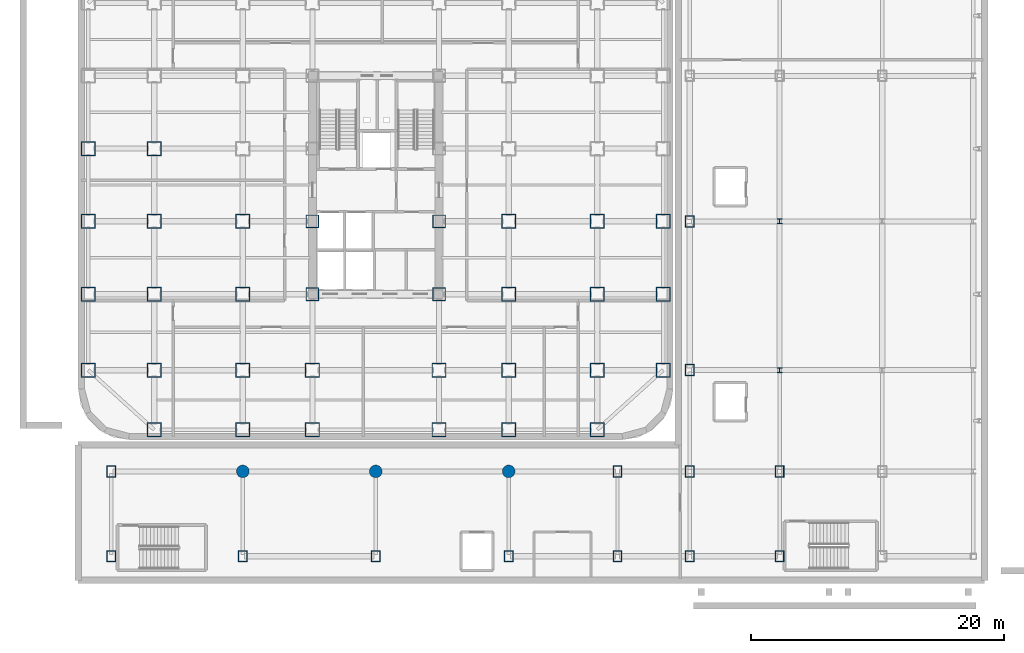
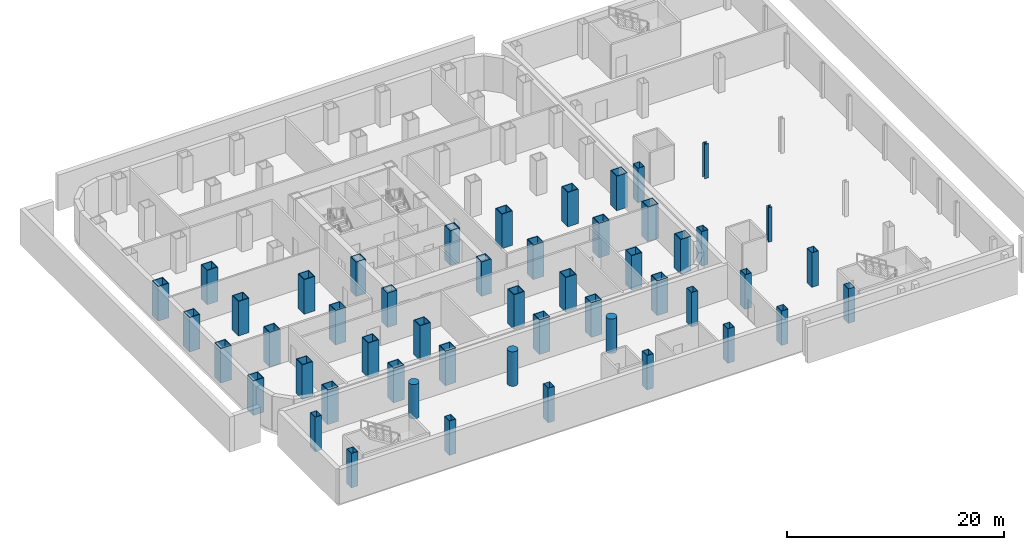
# One storey, part 1 of 16: 50 columns.
"""IFC4 building model written with IfcOpenShell, lengths in metres."""

from ifc_helpers import new_model, si_unit, direction, frame, origin, origin_2d, place, context, subcontext, project, spatial, hollow_rectangle, circle, i_section, extrude, source, transform, mapped, material, material_profile, profile_set, type_object, element, save


model = new_model("IFC4")

# Units and contexts
model_context = context("Model", 3, precision=1e-05, world=origin(), true_north=direction((0.0, 1.0)))
body_context = subcontext(model_context, "Body", "Model", "MODEL_VIEW")
ifc_project = project(units=[si_unit("LENGTHUNIT", "METRE"), si_unit("AREAUNIT", "SQUARE_METRE"), si_unit("VOLUMEUNIT", "CUBIC_METRE"), si_unit("PLANEANGLEUNIT", "RADIAN"), si_unit("MASSUNIT", "GRAM", prefix="KILO")], contexts=[model_context])

# Site, building, storey
site_placement = place(None, origin())
site = spatial("IfcSite", under=ifc_project, at=site_placement, CompositionType="ELEMENT")
building_placement = place(site_placement, origin())
building = spatial("IfcBuilding", under=site, at=building_placement, Name="Kolveth Station Tower", CompositionType="ELEMENT")
storey_placement = place(building_placement, frame((0.0, 0.0, -4.199951171875)))
storey = spatial("IfcBuildingStorey", under=building, at=storey_placement, Name="B1", CompositionType="ELEMENT", Elevation=-4.199951171875)

# Columns
ifc_material_1 = material(Name="Steel S460", Category="steel")
ifc_material_profile_1 = material_profile(ifc_material_1, hollow_rectangle(XDim=1.139892578125, YDim=1.139892578125, WallThickness=0.070068359375, at=origin_2d()), Name="BOX1140x1140x70")
ifc_profile_set_1 = profile_set([ifc_material_profile_1], Name="Steel S460")
column_type_1 = type_object("IfcColumnType", Name="Col_C1", PredefinedType="COLUMN", material=ifc_profile_set_1)
shared_shape_1 = source(origin(), body_context, "Body", "SweptSolid", [
    extrude(hollow_rectangle(XDim=1.139892578125, YDim=1.139892578125, WallThickness=0.070068359375, at=origin_2d()), origin(), (0.0, 0.0, 1.0), 3.8798828125),
])
for number, where, z_axis, x_axis, name in (
    (1, (6.0, 0.800048828125, 0.0), (0.0, 0.0, 1.0), (1.0, 0.0, 0.0), "B1 Tower Column S-X60"),
    (2, (13.0, 0.800048828125, 0.0), (0.0, 0.0, 1.0), (1.0, 0.0, 0.0), "B1 Tower Column S-X130"),
    (3, (18.5, 0.800048828125, 0.0), (0.0, 0.0, 1.0), (1.0, 0.0, 0.0), "B1 Tower Column S-X185"),
    (4, (28.5, 0.800048828125, 0.0), (0.0, 0.0, 1.0), (1.0, 0.0, 0.0), "B1 Tower Column S-X285"),
    (5, (34.0, 0.800048828125, 0.0), (0.0, 0.0, 1.0), (1.0, 0.0, 0.0), "B1 Tower Column S-X340"),
    (6, (41.0, 0.800048828125, 0.0), (0.0, 0.0, 1.0), (1.0, 0.0, 0.0), "B1 Tower Column S-X410"),
    (7, (0.800048828125, 5.5, 0.0), (0.0, 0.0, 1.0), (1.0, 0.0, 0.0), "B1 Tower Column W-Y55"),
    (8, (46.199951171875, 5.5, 0.0), (0.0, 0.0, 1.0), (1.0, 0.0, 0.0), "B1 Tower Column E-Y55"),
    (9, (0.800048828125, 11.5, 0.0), (0.0, 0.0, 1.0), (1.0, 0.0, 0.0), "B1 Tower Column W-Y115"),
    (10, (46.199951171875, 11.5, 0.0), (0.0, 0.0, 1.0), (1.0, 0.0, 0.0), "B1 Tower Column E-Y115"),
    (11, (0.800048828125, 17.25, 0.0), (0.0, 0.0, 1.0), (1.0, 0.0, 0.0), "B1 Tower Column W-Y172"),
    (12, (46.199951171875, 17.25, 0.0), (0.0, 0.0, 1.0), (1.0, 0.0, 0.0), "B1 Tower Column E-Y172"),
    (13, (0.800048828125, 23.0, 0.0), (0.0, 0.0, 1.0), (1.0, 0.0, 0.0), "B1 Tower Column W-Y230"),
    (14, (6.0, 5.5, 0.0), (0.0, 0.0, 1.0), (1.0, 0.0, 0.0), "B1 Tower Column G-60-55"),
    (15, (6.0, 11.5, 0.0), (0.0, 0.0, 1.0), (1.0, 0.0, 0.0), "B1 Tower Column G-60-115"),
    (16, (6.0, 17.25, 0.0), (0.0, 0.0, 1.0), (1.0, 0.0, 0.0), "B1 Tower Column G-60-172"),
    (17, (6.0, 23.0, 0.0), (0.0, 0.0, 1.0), (1.0, 0.0, 0.0), "B1 Tower Column G-60-230"),
    (18, (13.0, 5.5, 0.0), (0.0, 0.0, 1.0), (1.0, 0.0, 0.0), "B1 Tower Column G-130-55"),
    (19, (13.0, 11.5, 0.0), (0.0, 0.0, 1.0), (1.0, 0.0, 0.0), "B1 Tower Column G-130-115"),
    (20, (13.0, 17.25, 0.0), (0.0, 0.0, 1.0), (1.0, 0.0, 0.0), "B1 Tower Column G-130-172"),
    (21, (18.5, 5.5, 0.0), (0.0, 0.0, 1.0), (1.0, 0.0, 0.0), "B1 Tower Column G-185-55"),
    (22, (28.5, 5.5, 0.0), (0.0, 0.0, 1.0), (1.0, 0.0, 0.0), "B1 Tower Column G-285-55"),
    (23, (34.0, 5.5, 0.0), (0.0, 0.0, 1.0), (1.0, 0.0, 0.0), "B1 Tower Column G-340-55"),
    (24, (34.0, 11.5, 0.0), (0.0, 0.0, 1.0), (1.0, 0.0, 0.0), "B1 Tower Column G-340-115"),
    (25, (34.0, 17.25, 0.0), (0.0, 0.0, 1.0), (1.0, 0.0, 0.0), "B1 Tower Column G-340-172"),
    (26, (41.0, 5.5, 0.0), (0.0, 0.0, 1.0), (1.0, 0.0, 0.0), "B1 Tower Column G-410-55"),
    (27, (41.0, 11.5, 0.0), (0.0, 0.0, 1.0), (1.0, 0.0, 0.0), "B1 Tower Column G-410-115"),
    (28, (41.0, 17.25, 0.0), (0.0, 0.0, 1.0), (1.0, 0.0, 0.0), "B1 Tower Column G-410-172"),
):
    element("IfcColumn", number, at=place(storey_placement, frame(where, z_axis=z_axis, x_axis=x_axis)), inside=storey, type_object=column_type_1, Name=name, PredefinedType="COLUMN", context=body_context, shape_type="MappedRepresentation", body=[
        mapped(shared_shape_1, transform((0.0, 0.0, 0.0), x_axis=(1.0, 0.0, 0.0), y_axis=(0.0, 1.0, 0.0), z_axis=(0.0, 0.0, 1.0), scale=1.0)),
    ])
ifc_material_profile_2 = material_profile(ifc_material_1, hollow_rectangle(XDim=1.0400390625, YDim=1.0400390625, WallThickness=0.06494140625, at=origin_2d()), Name="BOX1040x1040x65")
ifc_profile_set_2 = profile_set([ifc_material_profile_2], Name="Steel S460")
column_type_2 = type_object("IfcColumnType", Name="Col_C2", PredefinedType="COLUMN", material=ifc_profile_set_2)
shared_shape_2 = source(origin(), body_context, "Body", "SweptSolid", [
    extrude(hollow_rectangle(XDim=1.0400390625, YDim=1.0400390625, WallThickness=0.06494140625, at=origin_2d()), origin(), (0.0, 0.0, 1.0), 3.8798828125),
])
for number, where, z_axis, x_axis, name in (
    (29, (18.5, 11.5, 0.0), (0.0, 0.0, 1.0), (1.0, 0.0, 0.0), "B1 Tower Column G-185-115"),
    (30, (18.5, 17.25, 0.0), (0.0, 0.0, 1.0), (1.0, 0.0, 0.0), "B1 Tower Column G-185-172"),
    (31, (28.5, 11.5, 0.0), (0.0, 0.0, 1.0), (1.0, 0.0, 0.0), "B1 Tower Column G-285-115"),
    (32, (28.5, 17.25, 0.0), (0.0, 0.0, 1.0), (1.0, 0.0, 0.0), "B1 Tower Column G-285-172"),
):
    element("IfcColumn", number, at=place(storey_placement, frame(where, z_axis=z_axis, x_axis=x_axis)), inside=storey, type_object=column_type_2, Name=name, PredefinedType="COLUMN", context=body_context, shape_type="MappedRepresentation", body=[
        mapped(shared_shape_2, transform((0.0, 0.0, 0.0), x_axis=(1.0, 0.0, 0.0), y_axis=(0.0, 1.0, 0.0), z_axis=(0.0, 0.0, 1.0), scale=1.0)),
    ])
ifc_material_2 = material(Name="Steel S355", Category="steel")
ifc_material_profile_3 = material_profile(ifc_material_2, hollow_rectangle(XDim=0.699951171875, YDim=0.89990234375, WallThickness=0.0400390625, at=origin_2d()), Name="BOX900x700x40")
ifc_profile_set_3 = profile_set([ifc_material_profile_3], Name="Steel S355")
column_type_3 = type_object("IfcColumnType", Name="Col_SC1", PredefinedType="COLUMN", material=ifc_profile_set_3)
shared_shape_3 = source(origin(), body_context, "Body", "SweptSolid", [
    extrude(hollow_rectangle(XDim=0.699951171875, YDim=0.89990234375, WallThickness=0.0400390625, at=origin_2d()), origin(), (0.0, 0.0, 1.0), 3.8798828125),
])
for number, where, z_axis, x_axis, name in (
    (33, (2.60009765625, -9.199951171875, 0.0), (0.0, 0.0, 1.0), (1.0, 0.0, 0.0), "B1 Station Column SS-A1"),
    (34, (2.60009765625, -2.5, 0.0), (0.0, 0.0, 1.0), (1.0, 0.0, 0.0), "B1 Station Column SS-B1"),
    (35, (13.0, -9.199951171875, 0.0), (0.0, 0.0, 1.0), (1.0, 0.0, 0.0), "B1 Station Column SS-A2"),
    (36, (23.5, -9.199951171875, 0.0), (0.0, 0.0, 1.0), (1.0, 0.0, 0.0), "B1 Station Column SS-A3"),
    (37, (34.0, -9.199951171875, 0.0), (0.0, 0.0, 1.0), (1.0, 0.0, 0.0), "B1 Station Column SS-A4"),
    (38, (42.60009765625, -9.199951171875, 0.0), (0.0, 0.0, 1.0), (1.0, 0.0, 0.0), "B1 Station Column SS-A5"),
    (39, (42.60009765625, -2.5, 0.0), (0.0, 0.0, 1.0), (1.0, 0.0, 0.0), "B1 Station Column SS-B5"),
    (40, (48.300048828125, -9.199951171875, 0.0), (0.0, 0.0, 1.0), (1.0, 0.0, 0.0), "B1 Station Column SE-1-1"),
    (41, (48.300048828125, -2.5, 0.0), (0.0, 0.0, 1.0), (1.0, 0.0, 0.0), "B1 Station Column SE-1-2"),
    (42, (48.300048828125, 5.5, 0.0), (0.0, 0.0, 1.0), (1.0, 0.0, 0.0), "B1 Station Column SE-1-3"),
    (43, (48.300048828125, 17.25, 0.0), (0.0, 0.0, 1.0), (1.0, 0.0, 0.0), "B1 Station Column SE-1-4"),
    (44, (55.39990234375, -9.199951171875, 0.0), (0.0, 0.0, 1.0), (1.0, 0.0, 0.0), "B1 Station Column SE-2-1"),
    (45, (55.39990234375, -2.5, 0.0), (0.0, 0.0, 1.0), (1.0, 0.0, 0.0), "B1 Station Column SE-2-2"),
):
    element("IfcColumn", number, at=place(storey_placement, frame(where, z_axis=z_axis, x_axis=x_axis)), inside=storey, type_object=column_type_3, Name=name, PredefinedType="COLUMN", context=body_context, shape_type="MappedRepresentation", body=[
        mapped(shared_shape_3, transform((0.0, 0.0, 0.0), x_axis=(1.0, 0.0, 0.0), y_axis=(0.0, 1.0, 0.0), z_axis=(0.0, 0.0, 1.0), scale=1.0)),
    ])
ifc_material_3 = material(Name="Concrete C50/60", Category="concrete")
ifc_material_profile_4 = material_profile(ifc_material_3, circle(Radius=0.5, at=origin_2d()), Name="RC-D1000")
ifc_profile_set_4 = profile_set([ifc_material_profile_4], Name="Concrete C50/60")
column_type_4 = type_object("IfcColumnType", Name="Col_CC1", PredefinedType="COLUMN", material=ifc_profile_set_4)
shared_shape_4 = source(origin(), body_context, "Body", "SweptSolid", [
    extrude(circle(Radius=0.5, at=origin_2d()), origin(), (0.0, 0.0, 1.0), 3.8798828125),
])
for number, where, z_axis, x_axis, name in (
    (46, (13.0, -2.5, 0.0), (0.0, 0.0, 1.0), (1.0, 0.0, 0.0), "B1 Station Column SS-B2"),
    (47, (23.5, -2.5, 0.0), (0.0, 0.0, 1.0), (1.0, 0.0, 0.0), "B1 Station Column SS-B3"),
    (48, (34.0, -2.5, 0.0), (0.0, 0.0, 1.0), (1.0, 0.0, 0.0), "B1 Station Column SS-B4"),
):
    element("IfcColumn", number, at=place(storey_placement, frame(where, z_axis=z_axis, x_axis=x_axis)), inside=storey, type_object=column_type_4, Name=name, PredefinedType="COLUMN", context=body_context, shape_type="MappedRepresentation", body=[
        mapped(shared_shape_4, transform((0.0, 0.0, 0.0), x_axis=(1.0, 0.0, 0.0), y_axis=(0.0, 1.0, 0.0), z_axis=(0.0, 0.0, 1.0), scale=1.0)),
    ])
ifc_material_profile_5 = material_profile(ifc_material_2, i_section(OverallWidth=0.39892578125, OverallDepth=0.39306640625, WebThickness=0.022705078125, FlangeThickness=0.03662109375, at=origin_2d()), Name="W360x287")
ifc_profile_set_5 = profile_set([ifc_material_profile_5], Name="Steel S355")
column_type_5 = type_object("IfcColumnType", Name="Col_CW1", PredefinedType="COLUMN", material=ifc_profile_set_5)
shared_shape_5 = source(origin(), body_context, "Body", "SweptSolid", [
    extrude(i_section(OverallWidth=0.39892578125, OverallDepth=0.39306640625, WebThickness=0.022705078125, FlangeThickness=0.03662109375, at=origin_2d()), origin(), (0.0, 0.0, 1.0), 3.8798828125),
])
for number, where, z_axis, x_axis, name in (
    (49, (55.39990234375, 5.5, 0.0), (0.0, 0.0, 1.0), (1.0, 0.0, 0.0), "B1 Station Column SE-2-3"),
    (50, (55.39990234375, 17.25, 0.0), (0.0, 0.0, 1.0), (1.0, 0.0, 0.0), "B1 Station Column SE-2-4"),
):
    element("IfcColumn", number, at=place(storey_placement, frame(where, z_axis=z_axis, x_axis=x_axis)), inside=storey, type_object=column_type_5, Name=name, PredefinedType="COLUMN", context=body_context, shape_type="MappedRepresentation", body=[
        mapped(shared_shape_5, transform((0.0, 0.0, 0.0), x_axis=(1.0, 0.0, 0.0), y_axis=(0.0, 1.0, 0.0), z_axis=(0.0, 0.0, 1.0), scale=1.0)),
    ])

save(model, "model.ifc")
